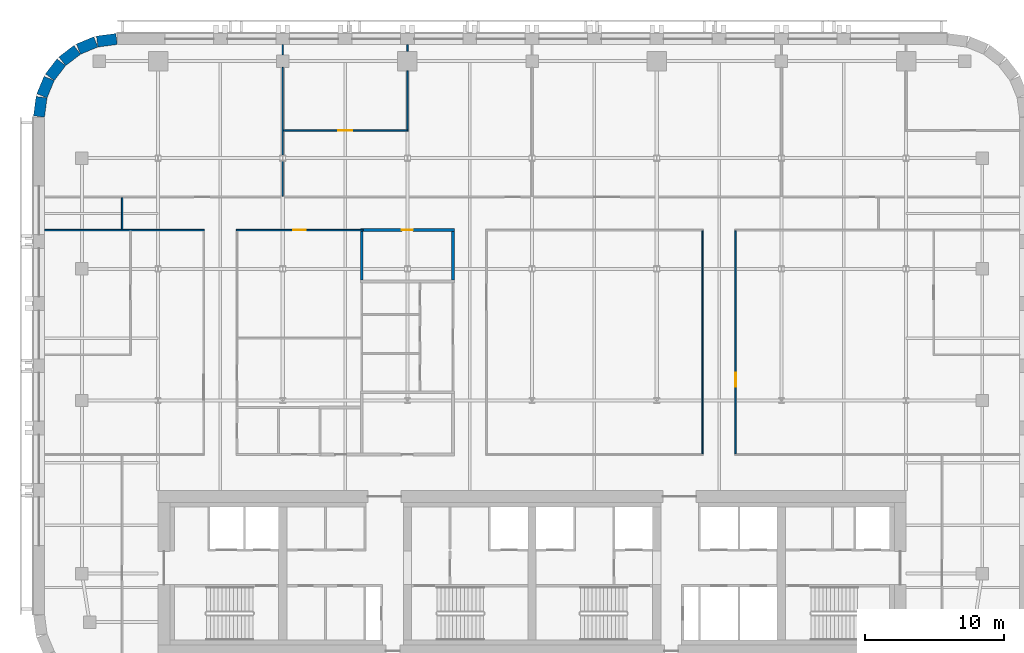
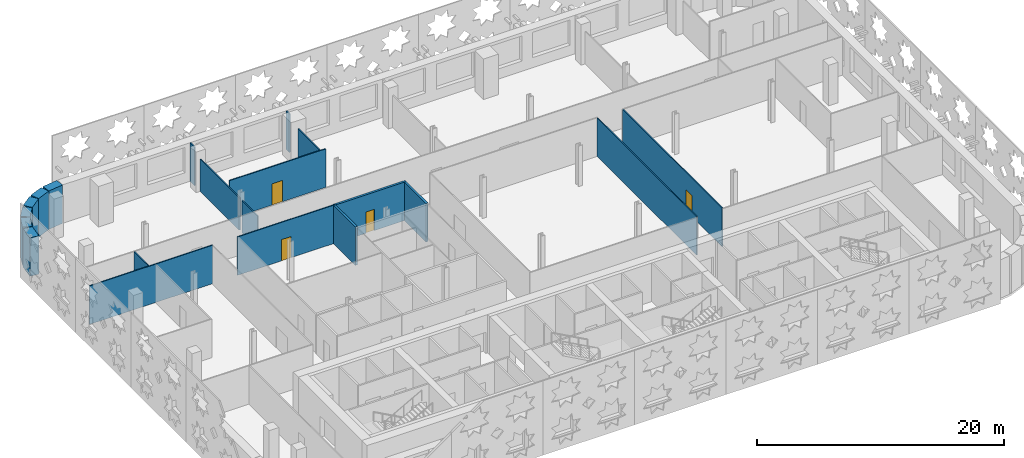
# One storey, part 6 of 13: 20 walls, 4 doors, 4 openings.
"""IFC4 building model written with IfcOpenShell, lengths in metres."""

from ifc_helpers import new_model, si_unit, direction, frame, frame_2d, origin, place, context, subcontext, project, spatial, rectangle, extrude, material, layer, layer_set, type_object, element, fill, save


model = new_model("IFC4")

# Units and contexts
model_context = context("Model", 3, precision=1e-05, world=origin(), true_north=direction((0.0, 1.0)))
body_context = subcontext(model_context, "Body", "Model", "MODEL_VIEW")
ifc_project = project(units=[si_unit("LENGTHUNIT", "METRE"), si_unit("AREAUNIT", "SQUARE_METRE"), si_unit("VOLUMEUNIT", "CUBIC_METRE"), si_unit("PLANEANGLEUNIT", "RADIAN"), si_unit("MASSUNIT", "GRAM", prefix="KILO")], contexts=[model_context])

# Site, building, storey
site_placement = place(None, origin())
site = spatial("IfcSite", under=ifc_project, at=site_placement, CompositionType="ELEMENT")
building_placement = place(site_placement, origin())
building = spatial("IfcBuilding", under=site, at=building_placement, Name="Zellij Exchange Tower", CompositionType="ELEMENT")
storey_placement = place(building_placement, frame((0.0, 0.0, 172.5)))
storey = spatial("IfcBuildingStorey", under=building, at=storey_placement, Name="L39", CompositionType="ELEMENT", Elevation=172.5)

# Walls
ifc_material_1 = material(Name="Precast concrete C40/50", Category="concrete")
ifc_layer_1 = layer(ifc_material_1, 0.800048828125)
ifc_layer_set_1 = layer_set([ifc_layer_1], Name="Precast concrete C40/50")
wall_type_1 = type_object("IfcWallType", Name="ENV-EW1 Precast stone-piered wall 800", PredefinedType="SOLIDWALL", material=ifc_layer_set_1)
wall_1_placement = place(storey_placement, frame((-29.999755859375, 30.5966796875, 0.0), z_axis=(0.0, 0.0, 1.0), x_axis=(-0.99144603414, -0.130517283865, 0.0)))
element("IfcWall", 1, at=wall_1_placement, inside=storey, type_object=wall_type_1, Name="fac.L39.15", PredefinedType="SOLIDWALL", context=body_context, shape_type="SweptSolid", body=[
    extrude(rectangle(XDim=1.408447265625, YDim=0.800048828125, at=frame_2d((0.7041015625, 0.0))), origin(), (0.0, 0.0, 1.0), 3.800048828125),
])
wall_2_placement = place(storey_placement, frame((-31.497314453125, 30.3857421875, 0.0), z_axis=(0.0, 0.0, 1.0), x_axis=(-0.923847774587, -0.38276009378, 0.0)))
element("IfcWall", 2, at=wall_2_placement, inside=storey, type_object=wall_type_1, Name="fac.L39.16", PredefinedType="SOLIDWALL", context=body_context, shape_type="SweptSolid", body=[
    extrude(rectangle(XDim=1.35546875, YDim=0.800048828125, at=frame_2d((0.677734375, 0.0))), origin(), (0.0, 0.0, 1.0), 3.800048828125),
])
for number, where, z_axis, x_axis, name in (
    (3, (-32.840087890625, 29.814697265625, 0.0), (0.0, 0.0, 1.0), (-0.793272915452, -0.608866226366, 0.0), "fac.L39.17"),
    (4, (-33.9892578125, 28.91552734375, 0.0), (0.0, 0.0, 1.0), (-0.608866226366, -0.793272915452, 0.0), "fac.L39.18"),
):
    element("IfcWall", number, at=place(storey_placement, frame(where, z_axis=z_axis, x_axis=x_axis)), inside=storey, type_object=wall_type_1, Name=name, PredefinedType="SOLIDWALL", context=body_context, shape_type="SweptSolid", body=[
        extrude(rectangle(XDim=1.355712890625, YDim=0.800048828125, at=frame_2d((0.677734375, 0.0))), origin(), (0.0, 0.0, 1.0), 3.800048828125),
    ])
wall_3_placement = place(storey_placement, frame((-34.866943359375, 27.74951171875, 0.0), z_axis=(0.0, 0.0, 1.0), x_axis=(-0.38276009378, -0.923847774587, 0.0)))
element("IfcWall", 5, at=wall_3_placement, inside=storey, type_object=wall_type_1, Name="fac.L39.19", PredefinedType="SOLIDWALL", context=body_context, shape_type="SweptSolid", body=[
    extrude(rectangle(XDim=1.35546875, YDim=0.800048828125, at=frame_2d((0.677734375, 0.0))), origin(), (0.0, 0.0, 1.0), 3.800048828125),
])
wall_4_placement = place(storey_placement, frame((-35.412841796875, 26.396240234375, 0.0), z_axis=(0.0, 0.0, 1.0), x_axis=(-0.130517283865, -0.99144603414, 0.0)))
element("IfcWall", 6, at=wall_4_placement, inside=storey, type_object=wall_type_1, Name="fac.L39.20", PredefinedType="SOLIDWALL", context=body_context, shape_type="SweptSolid", body=[
    extrude(rectangle(XDim=1.408447265625, YDim=0.800048828125, at=frame_2d((0.7041015625, 0.0))), origin(), (0.0, 0.0, 1.0), 3.800048828125),
])
ifc_material_2 = material(Name="Blockwork partition", Category="masonry")
ifc_layer_2 = layer(ifc_material_2, 0.199951171875)
ifc_layer_set_2 = layer_set([ifc_layer_2], Name="Blockwork partition")
wall_type_2 = type_object("IfcWallType", Name="FIT-BLOCKWORK-200", PredefinedType="PARTITIONING", material=ifc_layer_set_2)
for number, where, z_axis, x_axis, name in (
    (7, (-12.300048828125, 13.199951171875, 0.0), (0.0, 0.0, 1.0), (0.0, 1.0, 0.0), "FIT-BLOCKWORK-200 032"),
    (8, (-5.699951171875, 13.199951171875, 0.0), (0.0, 0.0, 1.0), (0.0, 1.0, 0.0), "FIT-BLOCKWORK-200 033"),
):
    element("IfcWall", number, at=place(storey_placement, frame(where, z_axis=z_axis, x_axis=x_axis)), inside=storey, type_object=wall_type_2, Name=name, PredefinedType="PARTITIONING", context=body_context, shape_type="SweptSolid", body=[
        extrude(rectangle(XDim=3.5, YDim=0.199951171875, at=frame_2d((1.75, 0.0))), origin(), (0.0, 0.0, 1.0), 3.800048828125),
    ])

# Wall, opening, door
wall_5_placement = place(storey_placement, frame((-12.39990234375, 16.800048828125, 0.0), z_axis=(0.0, 0.0, 1.0), x_axis=(1.0, 0.0, 0.0)))
wall_5 = element("IfcWall", 9, at=wall_5_placement, inside=storey, type_object=wall_type_2, Name="FIT-BLOCKWORK-200 037", PredefinedType="PARTITIONING", context=body_context, shape_type="SweptSolid", body=[
    extrude(rectangle(XDim=6.7998046875, YDim=0.199951171875, at=frame_2d((3.39990234375, 0.0))), origin(), (0.0, 0.0, 1.0), 3.800048828125),
])
opening_1_placement = place(wall_5_placement, frame((3.0, 0.0, 0.0)))
opening_1 = element("IfcOpeningElement", 10, at=opening_1_placement, cuts=wall_5, Name="Opening O3A.18", PredefinedType="OPENING", context=body_context, shape_type="SweptSolid", body=[
    extrude(rectangle(XDim=0.800048828125, YDim=2.10009765625, at=frame_2d((0.39990234375, 1.050048828125))), frame((0.0, 0.11181640625, 0.0), z_axis=(0.0, -1.0, 0.0), x_axis=(1.0, 0.0, 0.0)), (0.0, 0.0, 1.0), 0.223876953125),
])
ifc_material_3 = material(Name="Timber door set", Category="wood")
door_type_1 = type_object("IfcDoorType", Name="FIT-D6-SERVICE-800X2100", OperationType="SINGLE_SWING_LEFT", PredefinedType="DOOR", material=ifc_material_3)
door_1_placement = place(opening_1_placement, origin())
door_1 = element("IfcDoor", 11, at=door_1_placement, inside=storey, type_object=door_type_1, Name="Door O3A.18", OperationType="SINGLE_SWING_RIGHT", OverallHeight=2.10009765625, OverallWidth=0.800048828125, PredefinedType="DOOR", context=body_context, shape_type="SweptSolid", body=[
    extrude(rectangle(XDim=0.800048828125, YDim=2.10009765625, at=frame_2d((0.39990234375, 1.050048828125))), frame((0.0, 0.02490234375, 0.0), z_axis=(0.0, -1.0, 0.0), x_axis=(1.0, 0.0, 0.0)), (0.0, 0.0, 1.0), 0.050048828125),
])
fill(opening_1, door_1)

# Wall
ifc_material_4 = material(Name="Gypsum board partition on steel studs", Category="steel")
ifc_layer_3 = layer(ifc_material_4, 0.10009765625)
ifc_layer_set_3 = layer_set([ifc_layer_3], Name="Gypsum board partition on steel studs")
wall_type_3 = type_object("IfcWallType", Name="FIT-PARTITION-100", PredefinedType="PARTITIONING", material=ifc_layer_set_3)
wall_6_placement = place(storey_placement, frame((12.300048828125, 0.64990234375, 0.0), z_axis=(0.0, 0.0, 1.0), x_axis=(0.0, 1.0, 0.0)))
element("IfcWall", 12, at=wall_6_placement, inside=storey, type_object=wall_type_3, Name="FIT-PARTITION-100 014", PredefinedType="PARTITIONING", context=body_context, shape_type="SweptSolid", body=[
    extrude(rectangle(XDim=16.10009765625, YDim=0.10009765625, at=frame_2d((8.050048828125, 0.0))), origin(), (0.0, 0.0, 1.0), 3.800048828125),
])

# Wall, opening, door
wall_7_placement = place(storey_placement, frame((14.699951171875, 0.64990234375, 0.0), z_axis=(0.0, 0.0, 1.0), x_axis=(0.0, 1.0, 0.0)))
wall_7 = element("IfcWall", 13, at=wall_7_placement, inside=storey, type_object=wall_type_3, Name="FIT-PARTITION-100 016", PredefinedType="PARTITIONING", context=body_context, shape_type="SweptSolid", body=[
    extrude(rectangle(XDim=16.10009765625, YDim=0.10009765625, at=frame_2d((8.050048828125, 0.0))), origin(), (0.0, 0.0, 1.0), 3.800048828125),
])
opening_2_placement = place(wall_7_placement, frame((4.85009765625, 0.0, 0.0)))
opening_2 = element("IfcOpeningElement", 14, at=opening_2_placement, cuts=wall_7, Name="Opening O3A.08", PredefinedType="OPENING", context=body_context, shape_type="SweptSolid", body=[
    extrude(rectangle(XDim=1.0, YDim=2.10009765625, at=frame_2d((0.5, 1.050048828125))), frame((0.0, 0.06201171875, 0.0), z_axis=(0.0, -1.0, 0.0), x_axis=(1.0, 0.0, 0.0)), (0.0, 0.0, 1.0), 0.1240234375),
])
door_type_2 = type_object("IfcDoorType", Name="FIT-D2-WIDE-1000X2100", OperationType="SINGLE_SWING_LEFT", PredefinedType="DOOR", material=ifc_material_3)
door_2_placement = place(opening_2_placement, origin())
door_2 = element("IfcDoor", 15, at=door_2_placement, inside=storey, type_object=door_type_2, Name="Door O3A.08", OperationType="SINGLE_SWING_LEFT", OverallHeight=2.10009765625, OverallWidth=1.0, PredefinedType="DOOR", context=body_context, shape_type="SweptSolid", body=[
    extrude(rectangle(XDim=1.0, YDim=2.10009765625, at=frame_2d((0.5, 1.050048828125))), frame((0.0, 0.02490234375, 0.0), z_axis=(0.0, -1.0, 0.0), x_axis=(1.0, 0.0, 0.0)), (0.0, 0.0, 1.0), 0.050048828125),
])
fill(opening_2, door_2)

# Walls
wall_8_placement = place(storey_placement, frame((-35.199951171875, 16.800048828125, 0.0), z_axis=(0.0, 0.0, 1.0), x_axis=(1.0, 0.0, 0.0)))
element("IfcWall", 16, at=wall_8_placement, inside=storey, type_object=wall_type_3, Name="FIT-PARTITION-100 034", PredefinedType="PARTITIONING", context=body_context, shape_type="SweptSolid", body=[
    extrude(rectangle(XDim=11.550048828125, YDim=0.10009765625, at=frame_2d((5.77490234375, 0.0))), origin(), (0.0, 0.0, 1.0), 3.800048828125),
])
wall_9_placement = place(storey_placement, frame((-29.60009765625, 16.85009765625, 0.0), z_axis=(0.0, 0.0, 1.0), x_axis=(0.0, 1.0, 0.0)))
element("IfcWall", 17, at=wall_9_placement, inside=storey, type_object=wall_type_3, Name="FIT-PARTITION-100 035", PredefinedType="PARTITIONING", context=body_context, shape_type="SweptSolid", body=[
    extrude(rectangle(XDim=2.2998046875, YDim=0.10009765625, at=frame_2d((1.14990234375, 0.0))), origin(), (0.0, 0.0, 1.0), 3.800048828125),
])

# Wall, opening, door
wall_10_placement = place(storey_placement, frame((-21.35009765625, 16.800048828125, 0.0), z_axis=(0.0, 0.0, 1.0), x_axis=(1.0, 0.0, 0.0)))
wall_10 = element("IfcWall", 18, at=wall_10_placement, inside=storey, type_object=wall_type_3, Name="FIT-PARTITION-100 036", PredefinedType="PARTITIONING", context=body_context, shape_type="SweptSolid", body=[
    extrude(rectangle(XDim=9.150146484375, YDim=0.10009765625, at=frame_2d((4.5751953125, 0.0))), origin(), (0.0, 0.0, 1.0), 3.800048828125),
])
opening_3_placement = place(wall_10_placement, frame((4.10009765625, 0.0, 0.0)))
opening_3 = element("IfcOpeningElement", 19, at=opening_3_placement, cuts=wall_10, Name="Opening O3A.17", PredefinedType="OPENING", context=body_context, shape_type="SweptSolid", body=[
    extrude(rectangle(XDim=0.89990234375, YDim=2.10009765625, at=frame_2d((0.449951171875, 1.050048828125))), frame((0.0, 0.06201171875, 0.0), z_axis=(0.0, -1.0, 0.0), x_axis=(1.0, 0.0, 0.0)), (0.0, 0.0, 1.0), 0.1240234375),
])
door_type_3 = type_object("IfcDoorType", Name="FIT-D1-ROOM-900X2100", OperationType="SINGLE_SWING_LEFT", PredefinedType="DOOR", material=ifc_material_3)
door_3_placement = place(opening_3_placement, origin())
door_3 = element("IfcDoor", 20, at=door_3_placement, inside=storey, type_object=door_type_3, Name="Door O3A.17", OperationType="SINGLE_SWING_LEFT", OverallHeight=2.10009765625, OverallWidth=0.89990234375, PredefinedType="DOOR", context=body_context, shape_type="SweptSolid", body=[
    extrude(rectangle(XDim=0.89990234375, YDim=2.10009765625, at=frame_2d((0.449951171875, 1.050048828125))), frame((0.0, 0.02490234375, 0.0), z_axis=(0.0, -1.0, 0.0), x_axis=(1.0, 0.0, 0.0)), (0.0, 0.0, 1.0), 0.050048828125),
])
fill(opening_3, door_3)

# Walls
wall_11_placement = place(storey_placement, frame((-18.0, 19.25, 0.0), z_axis=(0.0, 0.0, 1.0), x_axis=(0.0, 1.0, 0.0)))
element("IfcWall", 21, at=wall_11_placement, inside=storey, type_object=wall_type_3, Name="FIT-PARTITION-100 042", PredefinedType="PARTITIONING", context=body_context, shape_type="SweptSolid", body=[
    extrude(rectangle(XDim=2.537841796875, YDim=0.10009765625, at=frame_2d((1.26904296875, 0.0))), origin(), (0.0, 0.0, 1.0), 3.19287109375),
])
wall_12_placement = place(storey_placement, frame((-18.0, 22.212158203125, 0.0), z_axis=(0.0, 0.0, 1.0), x_axis=(0.0, 1.0, 0.0)))
element("IfcWall", 22, at=wall_12_placement, inside=storey, type_object=wall_type_3, Name="FIT-PARTITION-100 043", PredefinedType="PARTITIONING", context=body_context, shape_type="SweptSolid", body=[
    extrude(rectangle(XDim=6.337890625, YDim=0.10009765625, at=frame_2d((3.1689453125, 0.0))), origin(), (0.0, 0.0, 1.0), 3.19287109375),
])
wall_13_placement = place(storey_placement, frame((-18.0, 29.449951171875, 0.0), z_axis=(0.0, 0.0, 1.0), x_axis=(0.0, 1.0, 0.0)))
element("IfcWall", 23, at=wall_13_placement, inside=storey, type_object=wall_type_3, Name="FIT-PARTITION-100 044", PredefinedType="PARTITIONING", context=body_context, shape_type="SweptSolid", body=[
    extrude(rectangle(XDim=0.75, YDim=0.10009765625, at=frame_2d((0.375, 0.0))), origin(), (0.0, 0.0, 1.0), 3.800048828125),
])

# Wall, opening, door
wall_14_placement = place(storey_placement, frame((-17.949951171875, 24.0, 0.0), z_axis=(0.0, 0.0, 1.0), x_axis=(1.0, 0.0, 0.0)))
wall_14 = element("IfcWall", 24, at=wall_14_placement, inside=storey, type_object=wall_type_3, Name="FIT-PARTITION-100 051", PredefinedType="PARTITIONING", context=body_context, shape_type="SweptSolid", body=[
    extrude(rectangle(XDim=9.0, YDim=0.10009765625, at=frame_2d((4.5, 0.0))), origin(), (0.0, 0.0, 1.0), 3.800048828125),
])
opening_4_placement = place(wall_14_placement, frame((3.949951171875, 0.0, 0.0)))
opening_4 = element("IfcOpeningElement", 25, at=opening_4_placement, cuts=wall_14, Name="Opening O3A.23", PredefinedType="OPENING", context=body_context, shape_type="SweptSolid", body=[
    extrude(rectangle(XDim=1.0, YDim=2.10009765625, at=frame_2d((0.5, 1.050048828125))), frame((0.0, 0.06201171875, 0.0), z_axis=(0.0, -1.0, 0.0), x_axis=(1.0, 0.0, 0.0)), (0.0, 0.0, 1.0), 0.1240234375),
])
door_4_placement = place(opening_4_placement, origin())
door_4 = element("IfcDoor", 26, at=door_4_placement, inside=storey, type_object=door_type_2, Name="Door O3A.23", OperationType="SINGLE_SWING_RIGHT", OverallHeight=2.10009765625, OverallWidth=1.0, PredefinedType="DOOR", context=body_context, shape_type="SweptSolid", body=[
    extrude(rectangle(XDim=1.0, YDim=2.10009765625, at=frame_2d((0.5, 1.050048828125))), frame((0.0, 0.02490234375, 0.0), z_axis=(0.0, -1.0, 0.0), x_axis=(1.0, 0.0, 0.0)), (0.0, 0.0, 1.0), 0.050048828125),
])
fill(opening_4, door_4)

# Walls
wall_15_placement = place(storey_placement, frame((-9.0, 24.050048828125, 0.0), z_axis=(0.0, 0.0, 1.0), x_axis=(0.0, 1.0, 0.0)))
element("IfcWall", 27, at=wall_15_placement, inside=storey, type_object=wall_type_3, Name="FIT-PARTITION-100 052", PredefinedType="PARTITIONING", context=body_context, shape_type="SweptSolid", body=[
    extrude(rectangle(XDim=4.25, YDim=0.10009765625, at=frame_2d((2.125, 0.0))), origin(), (0.0, 0.0, 1.0), 3.19287109375),
])
wall_16_placement = place(storey_placement, frame((-9.0, 29.699951171875, 0.0), z_axis=(0.0, 0.0, 1.0), x_axis=(0.0, 1.0, 0.0)))
element("IfcWall", 28, at=wall_16_placement, inside=storey, type_object=wall_type_3, Name="FIT-PARTITION-100 053", PredefinedType="PARTITIONING", context=body_context, shape_type="SweptSolid", body=[
    extrude(rectangle(XDim=0.5, YDim=0.10009765625, at=frame_2d((0.25, 0.0))), origin(), (0.0, 0.0, 1.0), 3.800048828125),
])

save(model, "model.ifc")
